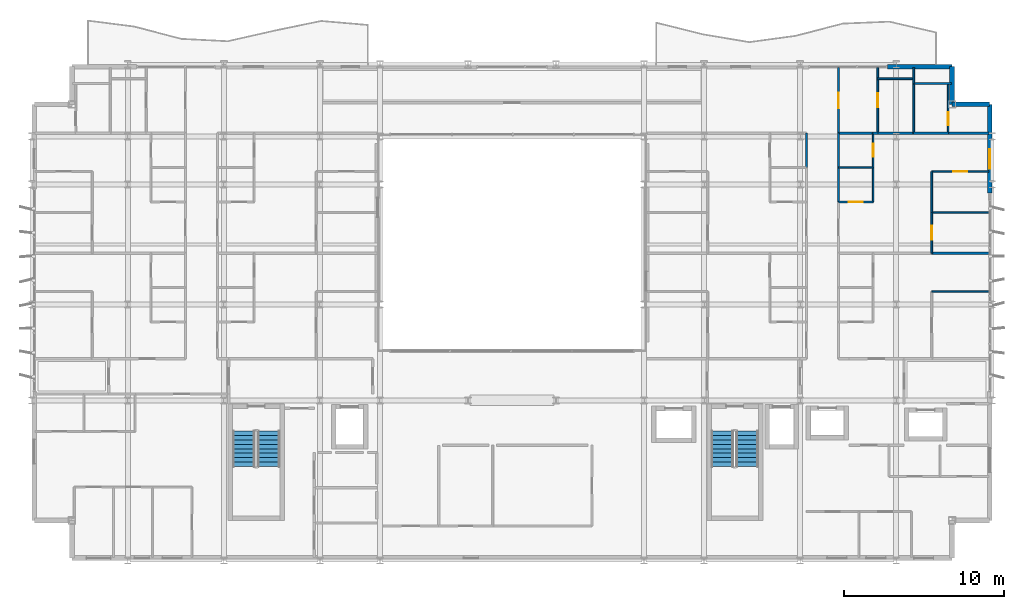
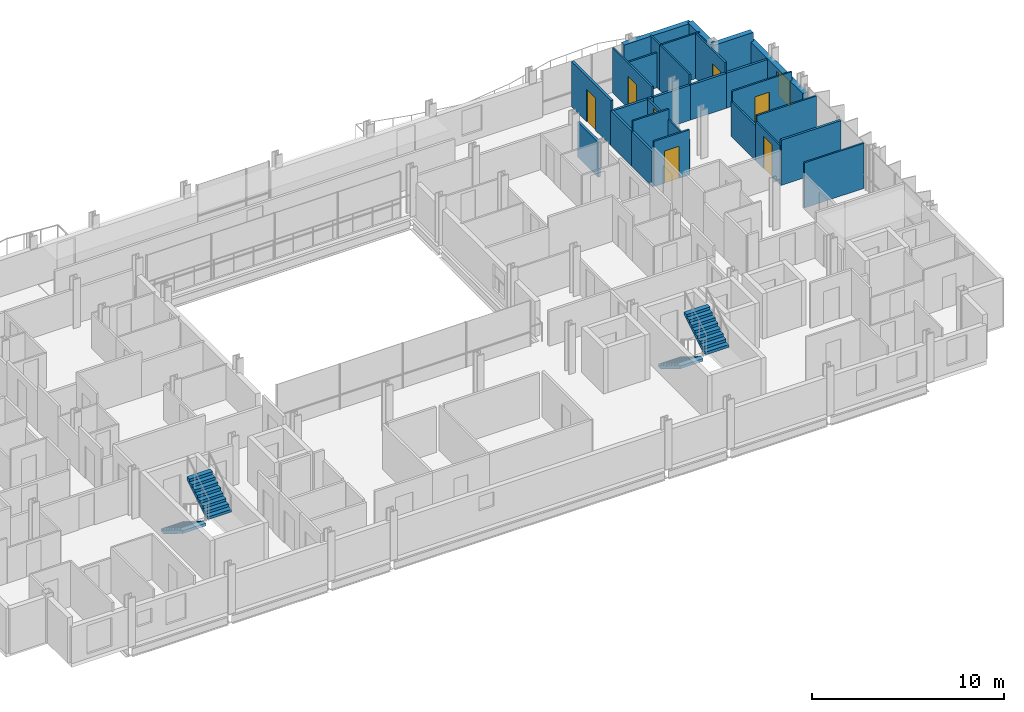
# One storey, part 33 of 39: 29 walls, 7 doors, 4 stair flights, 1 window, 8 openings, 2 elements without a shape of their own.
"""IFC4 building model written with IfcOpenShell, lengths in metres."""

import ifcopenshell
import ifcopenshell.guid

model = None  # the IFC model being written
_history = None  # IfcOwnerHistory: only IFC2X3 demands one
_inside = {}  # id of a spatial element -> (the spatial element, [elements in it])
_under = {}  # id of a project, library or spatial element -> (it, [spatial elements below it])
_declared = {}  # id of a project -> (the project, [libraries it declares])
_typed = {}  # id of a type object -> (the type object, [elements of that type])
_made_of = {}  # id of a material, layer set ... -> (it, [elements and type objects made of it])


def new_model(schema):
    """Start an empty IFC model of exactly this schema.

    Asked for "IFC4X3", IfcOpenShell would pick the latest addendum, in which some entities
    have other attributes; the version numbers below select the first issue.
    IFC2X3 requires an IfcOwnerHistory on every rooted entity: one is made here for all.
    """
    global model, _history
    if schema == "IFC4X3":
        model = ifcopenshell.file(schema_version=(4, 3, 0, 0))
    else:
        model = ifcopenshell.file(schema=schema)
    _inside.clear()
    _under.clear()
    _declared.clear()
    _typed.clear()
    _made_of.clear()
    _history = None
    if model.schema == "IFC2X3":
        org = make("IfcOrganization", Name="unknown")
        user = make(
            "IfcPersonAndOrganization",
            ThePerson=make("IfcPerson", FamilyName="unknown"),
            TheOrganization=org,
        )
        app = make(
            "IfcApplication",
            ApplicationDeveloper=org,
            Version="unknown",
            ApplicationFullName="unknown",
            ApplicationIdentifier="unknown",
        )
        _history = make(
            "IfcOwnerHistory",
            OwningUser=user,
            OwningApplication=app,
            ChangeAction="ADDED",
            CreationDate=0,
        )
    return model


def make(cls, **values):
    """One entity of the class cls with the attributes given. An attribute that is None is left unset."""
    return model.create_entity(
        cls, **{name: value for name, value in values.items() if value is not None}
    )


def rooted(cls, **values):
    """An entity with a GlobalId (a new one), such as an element, a storey or a relation."""
    return make(cls, GlobalId=ifcopenshell.guid.new(), OwnerHistory=_history, **values)


def si_unit(unit_type, name, prefix=None):
    """IfcSIUnit, for example si_unit("LENGTHUNIT", "METRE", prefix="MILLI")."""
    return make("IfcSIUnit", UnitType=unit_type, Prefix=prefix, Name=name)


def assignment(units):
    """IfcUnitAssignment: the units of a project."""
    return None if units is None else make("IfcUnitAssignment", Units=units)


def point(xyz):
    """IfcCartesianPoint."""
    return None if xyz is None else make("IfcCartesianPoint", Coordinates=xyz)


def direction(xyz):
    """IfcDirection."""
    return None if xyz is None else make("IfcDirection", DirectionRatios=xyz)


def frame(location, z_axis=None, x_axis=None):
    """IfcAxis2Placement3D, a coordinate frame: its origin and axes. An axis left out is left unset."""
    return make(
        "IfcAxis2Placement3D",
        Location=point(location),
        Axis=direction(z_axis),
        RefDirection=direction(x_axis),
    )


def frame_2d(location, x_axis=None):
    """IfcAxis2Placement2D, a coordinate frame in the plane: its origin and x axis."""
    return make(
        "IfcAxis2Placement2D", Location=point(location), RefDirection=direction(x_axis)
    )


def origin():
    """The frame at (0, 0, 0) with its axes left unset."""
    return frame((0.0, 0.0, 0.0))


def place(relative_to, where):
    """IfcLocalPlacement: puts the frame where relative to a parent placement (None: the world)."""
    return make(
        "IfcLocalPlacement", PlacementRelTo=relative_to, RelativePlacement=where
    )


def context(
    kind, dimensions, precision=None, world=None, true_north=None, identifier=None
):
    """IfcGeometricRepresentationContext, for example the 3D "Model" context."""
    return make(
        "IfcGeometricRepresentationContext",
        ContextIdentifier=identifier,
        ContextType=kind,
        CoordinateSpaceDimension=dimensions,
        Precision=precision,
        WorldCoordinateSystem=world,
        TrueNorth=true_north,
    )


def subcontext(parent, identifier, kind, view, scale=None):
    """IfcGeometricRepresentationSubContext, for example "Body" below "Model"."""
    return make(
        "IfcGeometricRepresentationSubContext",
        ContextIdentifier=identifier,
        ContextType=kind,
        ParentContext=parent,
        TargetScale=scale,
        TargetView=view,
    )


def project(units=None, contexts=None):
    """IfcProject with its units and contexts."""
    return rooted(
        "IfcProject",
        Name="project",
        RepresentationContexts=contexts,
        UnitsInContext=assignment(units),
    )


def spatial(cls, under=None, at=None, **own):
    """A site, building, storey or space (cls), placed at a placement, below another one or the project."""
    s = rooted(cls, ObjectPlacement=at, **own)
    if under is not None:
        _under.setdefault(under.id(), (under, []))[1].append(s)
    return s


def polyline(points):
    """IfcPolyline through the points."""
    return make("IfcPolyline", Points=[point(p) for p in points])


def profile(cls, at=None, kind="AREA", **sizes):
    """A parametric profile (cls). Its sizes go by their IFC names, for example OverallWidth=200.0."""
    return make(cls, ProfileType=kind, Position=at, **sizes)


def rectangle(**sizes):
    """IfcRectangleProfileDef."""
    return profile("IfcRectangleProfileDef", **sizes)


def outline(outer, holes=None, kind="AREA"):
    """IfcArbitraryClosedProfileDef: a profile drawn as a closed curve; with holes, ...WithVoids."""
    if holes is None:
        return make("IfcArbitraryClosedProfileDef", ProfileType=kind, OuterCurve=outer)
    return make(
        "IfcArbitraryProfileDefWithVoids",
        ProfileType=kind,
        OuterCurve=outer,
        InnerCurves=holes,
    )


def extrude(swept, where, along, depth):
    """IfcExtrudedAreaSolid: the profile swept, set in the frame where, extruded along a direction by depth."""
    return make(
        "IfcExtrudedAreaSolid",
        SweptArea=swept,
        Position=where,
        ExtrudedDirection=direction(along),
        Depth=depth,
    )


def shape(context_of_items, identifier, shape_type, items):
    """IfcShapeRepresentation: the items that make up one representation, for example the "Body"."""
    return make(
        "IfcShapeRepresentation",
        ContextOfItems=context_of_items,
        RepresentationIdentifier=identifier,
        RepresentationType=shape_type,
        Items=items,
    )


def material(Name=None, Category=None):
    """IfcMaterial."""
    return make("IfcMaterial", Name=Name, Category=Category)


def layer(
    of_material, thickness, ventilated=None, Name=None, Category=None, Priority=None
):
    """IfcMaterialLayer: one layer of a wall or slab, of a material (None: an air gap)."""
    return make(
        "IfcMaterialLayer",
        Material=of_material,
        LayerThickness=thickness,
        IsVentilated=ventilated,
        Name=Name,
        Category=Category,
        Priority=Priority,
    )


def layer_set(layers, Name=None):
    """IfcMaterialLayerSet."""
    return make("IfcMaterialLayerSet", MaterialLayers=layers, LayerSetName=Name)


def made_of(thing, what):
    """Note that an element or type object is made of a material, layer set ...; save() writes the relation."""
    if what is not None:
        _made_of.setdefault(what.id(), (what, []))[1].append(thing)
    return thing


def type_object(cls, material=None, **own):
    """A type object (cls), such as IfcWallType, which elements share."""
    return made_of(rooted(cls, **own), material)


def element(
    cls,
    number,
    at=None,
    inside=None,
    cuts=None,
    type_object=None,
    material=None,
    context=None,
    identifier="Body",
    shape_type=None,
    held_by="IfcProductDefinitionShape",
    body=None,
    shapes=None,
    **own,
):
    """One element of the class cls, such as IfcWall. Its Tag is "e" and its number.

    at: its placement. inside: the storey or other place that contains it. cuts: it is an
    opening in that element (IfcRelVoidsElement). A single representation is given by context,
    identifier, shape_type and body (its items); several are given by shapes. held_by: the class
    of the entity that holds the representations. save() writes the other relations.
    """
    e = rooted(cls, Tag="e%d" % number, ObjectPlacement=at, **own)
    if body is not None:
        shapes = [shape(context, identifier, shape_type, body)]
    if shapes is not None:
        e.Representation = make(held_by, Representations=shapes)
    if inside is not None:
        _inside.setdefault(inside.id(), (inside, []))[1].append(e)
    if cuts is not None:
        rooted(
            "IfcRelVoidsElement", RelatingBuildingElement=cuts, RelatedOpeningElement=e
        )
    if type_object is not None:
        _typed.setdefault(type_object.id(), (type_object, []))[1].append(e)
    return made_of(e, material)


def fill(opening, filler):
    """IfcRelFillsElement: the door or window that sits in an opening."""
    return rooted(
        "IfcRelFillsElement",
        RelatingOpeningElement=opening,
        RelatedBuildingElement=filler,
    )


def aggregate(whole, parts):
    """IfcRelAggregates: a whole, such as a stair, and the parts it consists of."""
    return rooted("IfcRelAggregates", RelatingObject=whole, RelatedObjects=parts)


def save(model, path):
    """Write the relations noted so far, then the file.

    IfcRelAggregates (storeys below a building ...), IfcRelContainedInSpatialStructure (elements
    in a storey), IfcRelDefinesByType, IfcRelAssociatesMaterial and IfcRelDeclares: one each for
    every whole, place, type object, material and project.
    """
    for whole, parts in _under.values():
        aggregate(whole, parts)
    for where, things in _inside.values():
        rooted(
            "IfcRelContainedInSpatialStructure",
            RelatedElements=things,
            RelatingStructure=where,
        )
    for kind, things in _typed.values():
        rooted("IfcRelDefinesByType", RelatedObjects=things, RelatingType=kind)
    for what, things in _made_of.values():
        rooted("IfcRelAssociatesMaterial", RelatedObjects=things, RelatingMaterial=what)
    for by, libraries in _declared.values():
        rooted("IfcRelDeclares", RelatingContext=by, RelatedDefinitions=libraries)
    model.write(path)


model = new_model("IFC4")

# Units and contexts
model_context = context("Model", 3, precision=1e-05, world=origin(), true_north=direction((0.0, 1.0)))
body_context = subcontext(model_context, "Body", "Model", "MODEL_VIEW")
ifc_project = project(units=[si_unit("LENGTHUNIT", "METRE"), si_unit("AREAUNIT", "SQUARE_METRE"), si_unit("VOLUMEUNIT", "CUBIC_METRE"), si_unit("PLANEANGLEUNIT", "RADIAN"), si_unit("MASSUNIT", "GRAM", prefix="KILO")], contexts=[model_context])

# Site, building, storey
site_placement = place(None, origin())
site = spatial("IfcSite", under=ifc_project, at=site_placement, CompositionType="ELEMENT")
building_placement = place(site_placement, origin())
building = spatial("IfcBuilding", under=site, at=building_placement, Name="Brevholm Reach", CompositionType="ELEMENT")
storey_placement = place(building_placement, frame((0.0, 0.0, 77.60009765625)))
storey = spatial("IfcBuildingStorey", under=building, at=storey_placement, Name="L22", CompositionType="ELEMENT", Elevation=77.60009765625)

# Walls
ifc_material_1 = material(Name="Concrete C40/50", Category="concrete")
ifc_layer_1 = layer(ifc_material_1, 0.300048828125)
ifc_layer_set_1 = layer_set([ifc_layer_1], Name="Concrete C40/50")
wall_type_1 = type_object("IfcWallType", Name="WAL-EXT-300", PredefinedType="STANDARD", material=ifc_layer_set_1)
for number, where, z_axis, x_axis, name in (
    (1, (59.85009765625, 28.5, 0.0), (0.0, 0.0, 1.0), (-1.0, 0.0, 0.0), "L22 Facade Wall WAL-L22-CNE1"),
    (2, (57.5, 28.5, 0.0), (0.0, 0.0, 1.0), (0.0, 1.0, 0.0), "L22 Facade Wall WAL-L22-CNE2"),
):
    element("IfcWall", number, at=place(storey_placement, frame(where, z_axis=z_axis, x_axis=x_axis)), inside=storey, type_object=wall_type_1, Name=name, PredefinedType="STANDARD", context=body_context, shape_type="SweptSolid", body=[
        extrude(rectangle(XDim=2.35009765625, YDim=0.300048828125, at=frame_2d((1.175048828125, 0.0))), origin(), (0.0, 0.0, 1.0), 2.869873046875),
    ])

# Wall, opening, window
wall_1_placement = place(storey_placement, frame((59.85009765625, 22.949951171875, 0.0), z_axis=(0.0, 0.0, 1.0), x_axis=(0.0, 1.0, 0.0)))
wall_1 = element("IfcWall", 3, at=wall_1_placement, inside=storey, type_object=wall_type_1, Name="L22 Facade Wall WAL-L22-E-N", PredefinedType="STANDARD", context=body_context, shape_type="SweptSolid", body=[
    extrude(rectangle(XDim=5.550048828125, YDim=0.300048828125, at=frame_2d((2.77490234375, 0.0))), origin(), (0.0, 0.0, 1.0), 2.305419921875),
])
opening_1_placement = place(wall_1_placement, frame((1.530029296875, 0.0, 0.486083984375)))
opening_1 = element("IfcOpeningElement", 4, at=opening_1_placement, cuts=wall_1, Name="Opening WN-08", PredefinedType="OPENING", context=body_context, shape_type="SweptSolid", body=[
    extrude(rectangle(XDim=1.199951171875, YDim=1.60009765625, at=frame_2d((0.60009765625, 0.800048828125))), frame((0.0, 0.159912109375, 0.0), z_axis=(0.0, -1.0, 0.0), x_axis=(1.0, 0.0, 0.0)), (0.0, 0.0, 1.0), 0.320068359375),
])
ifc_material_2 = material(Name="Dark Anodised Aluminium and Solar-Control IGU Glass", Category="aluminium")
window_type = type_object("IfcWindowType", Name="WIN-RES-1200", PartitioningType="SINGLE_PANEL", PredefinedType="WINDOW", material=ifc_material_2)
window_placement = place(opening_1_placement, origin())
window = element("IfcWindow", 5, at=window_placement, inside=storey, type_object=window_type, Name="L22 Window WIN-L22-EN-1", OverallHeight=1.60009765625, OverallWidth=1.199951171875, PartitioningType="SINGLE_PANEL", PredefinedType="WINDOW", context=body_context, shape_type="SweptSolid", body=[
    extrude(rectangle(XDim=1.199951171875, YDim=1.60009765625, at=frame_2d((0.60009765625, 0.800048828125))), frame((0.0, 0.030029296875, 0.0), z_axis=(0.0, -1.0, 0.0), x_axis=(1.0, 0.0, 0.0)), (0.0, 0.0, 1.0), 0.06005859375),
])
fill(opening_1, window)

# Walls
wall_2_placement = place(storey_placement, frame((53.449951171875, 30.85009765625, 0.0), z_axis=(0.0, 0.0, 1.0), x_axis=(1.0, 0.0, 0.0)))
element("IfcWall", 6, at=wall_2_placement, inside=storey, type_object=wall_type_1, Name="L22 Facade Wall WAL-L22-NP-E0", PredefinedType="STANDARD", context=body_context, shape_type="SweptSolid", body=[
    extrude(rectangle(XDim=4.050048828125, YDim=0.300048828125, at=frame_2d((2.02490234375, 0.0))), origin(), (0.0, 0.0, 1.0), 2.869873046875),
])
ifc_material_3 = material(Name="Moisture-Resistant Acoustic Gypsum Stud Partition 100 mm", Category="gypsum")
ifc_layer_2 = layer(ifc_material_3, 0.10009765625)
ifc_layer_set_2 = layer_set([ifc_layer_2], Name="Moisture-Resistant Acoustic Gypsum Stud Partition 100 mm")
wall_type_2 = type_object("IfcWallType", Name="WAL-PRT-100", PredefinedType="PARTITIONING", material=ifc_layer_set_2)
wall_3_placement = place(storey_placement, frame((56.22802734375, 16.800048828125, 0.0), z_axis=(0.0, 0.0, 1.0), x_axis=(1.0, 0.0, 0.0)))
element("IfcWall", 7, at=wall_3_placement, inside=storey, type_object=wall_type_2, Name="L22 Internal Partition 152", PredefinedType="PARTITIONING", context=body_context, shape_type="SweptSolid", body=[
    extrude(rectangle(XDim=3.572021484375, YDim=0.10009765625, at=frame_2d((1.7861328125, 0.0))), origin(), (0.0, 0.0, 1.0), 2.869873046875),
])
wall_4_placement = place(storey_placement, frame((50.404052734375, 24.550048828125, 0.0), z_axis=(0.0, 0.0, 1.0), x_axis=(1.0, 0.0, 0.0)))
element("IfcWall", 8, at=wall_4_placement, inside=storey, type_object=wall_type_2, Name="L22 Internal Partition 156", PredefinedType="PARTITIONING", context=body_context, shape_type="SweptSolid", body=[
    extrude(rectangle(XDim=2.157958984375, YDim=0.10009765625, at=frame_2d((1.0791015625, 0.0))), origin(), (0.0, 0.0, 1.0), 2.869873046875),
])

# Wall, opening, door
wall_5_placement = place(storey_placement, frame((52.56201171875, 24.550048828125, 0.0), z_axis=(0.0, 0.0, 1.0), x_axis=(0.0, 1.0, 0.0)))
wall_5 = element("IfcWall", 9, at=wall_5_placement, inside=storey, type_object=wall_type_2, Name="L22 Internal Partition 157", PredefinedType="PARTITIONING", context=body_context, shape_type="SweptSolid", body=[
    extrude(rectangle(XDim=2.14990234375, YDim=0.10009765625, at=frame_2d((1.074951171875, 0.0))), origin(), (0.0, 0.0, 1.0), 2.224609375),
])
opening_2_placement = place(wall_5_placement, frame((0.6650390625, 0.0, 0.0)))
opening_2 = element("IfcOpeningElement", 10, at=opening_2_placement, cuts=wall_5, Name="Opening ID-03", PredefinedType="OPENING", context=body_context, shape_type="SweptSolid", body=[
    extrude(rectangle(XDim=0.820068359375, YDim=2.02001953125, at=frame_2d((0.41015625, 1.010009765625))), frame((0.0, 0.06005859375, 0.0), z_axis=(0.0, -1.0, 0.0), x_axis=(1.0, 0.0, 0.0)), (0.0, 0.0, 1.0), 0.1201171875),
])
ifc_material_4 = material(Name="Moisture-Resistant Painted Timber Internal Bathroom Door", Category="wood")
door_type_1 = type_object("IfcDoorType", Name="DOR-BATH-820", OperationType="NOTDEFINED", PredefinedType="DOOR", material=ifc_material_4)
door_1_placement = place(opening_2_placement, origin())
door_1 = element("IfcDoor", 11, at=door_1_placement, inside=storey, type_object=door_type_1, Name="L22 Internal Door 060", OperationType="SINGLE_SWING_LEFT", OverallHeight=2.02001953125, OverallWidth=0.820068359375, PredefinedType="DOOR", context=body_context, shape_type="SweptSolid", body=[
    extrude(rectangle(XDim=0.820068359375, YDim=2.02001953125, at=frame_2d((0.41015625, 1.010009765625))), frame((0.0, 0.02490234375, 0.0), z_axis=(0.0, -1.0, 0.0), x_axis=(1.0, 0.0, 0.0)), (0.0, 0.0, 1.0), 0.050048828125),
])
fill(opening_2, door_1)

wall_6_placement = place(storey_placement, frame((50.404052734375, 22.39990234375, 0.0), z_axis=(0.0, 0.0, 1.0), x_axis=(1.0, 0.0, 0.0)))
wall_6 = element("IfcWall", 12, at=wall_6_placement, inside=storey, type_object=wall_type_2, Name="L22 Internal Partition 159", PredefinedType="PARTITIONING", context=body_context, shape_type="SweptSolid", body=[
    extrude(rectangle(XDim=2.157958984375, YDim=0.10009765625, at=frame_2d((1.0791015625, 0.0))), origin(), (0.0, 0.0, 1.0), 2.869873046875),
])
opening_3_placement = place(wall_6_placement, frame((0.638916015625, 0.0, 0.0)))
opening_3 = element("IfcOpeningElement", 13, at=opening_3_placement, cuts=wall_6, Name="Opening ID-01", PredefinedType="OPENING", context=body_context, shape_type="SweptSolid", body=[
    extrude(rectangle(XDim=0.8798828125, YDim=2.0400390625, at=frame_2d((0.43994140625, 1.02001953125))), frame((0.0, 0.06005859375, 0.0), z_axis=(0.0, -1.0, 0.0), x_axis=(1.0, 0.0, 0.0)), (0.0, 0.0, 1.0), 0.1201171875),
])
ifc_material_5 = material(Name="Lacquered Ash Solid-Core Acoustic Internal Door", Category="timber")
door_type_2 = type_object("IfcDoorType", Name="DOR-INT-880", OperationType="NOTDEFINED", PredefinedType="DOOR", material=ifc_material_5)
door_2_placement = place(opening_3_placement, origin())
door_2 = element("IfcDoor", 14, at=door_2_placement, inside=storey, type_object=door_type_2, Name="L22 Internal Door 061", OperationType="SINGLE_SWING_RIGHT", OverallHeight=2.0400390625, OverallWidth=0.8798828125, PredefinedType="DOOR", context=body_context, shape_type="SweptSolid", body=[
    extrude(rectangle(XDim=0.8798828125, YDim=2.0400390625, at=frame_2d((0.43994140625, 1.02001953125))), frame((0.0, 0.02490234375, 0.0), z_axis=(0.0, -1.0, 0.0), x_axis=(1.0, 0.0, 0.0)), (0.0, 0.0, 1.0), 0.050048828125),
])
fill(opening_3, door_2)

# Walls
wall_7_placement = place(storey_placement, frame((52.56201171875, 22.39990234375, 0.0), z_axis=(0.0, 0.0, 1.0), x_axis=(0.0, 1.0, 0.0)))
element("IfcWall", 15, at=wall_7_placement, inside=storey, type_object=wall_type_2, Name="L22 Internal Partition 160", PredefinedType="PARTITIONING", context=body_context, shape_type="SweptSolid", body=[
    extrude(rectangle(XDim=2.14599609375, YDim=0.10009765625, at=frame_2d((1.072998046875, 0.0))), origin(), (0.0, 0.0, 1.0), 2.224609375),
])
wall_8_placement = place(storey_placement, frame((56.22802734375, 21.75, 0.0), z_axis=(0.0, 0.0, 1.0), x_axis=(1.0, 0.0, 0.0)))
element("IfcWall", 16, at=wall_8_placement, inside=storey, type_object=wall_type_2, Name="L22 Internal Partition 161", PredefinedType="PARTITIONING", context=body_context, shape_type="SweptSolid", body=[
    extrude(rectangle(XDim=3.572021484375, YDim=0.10009765625, at=frame_2d((1.7861328125, 0.0))), origin(), (0.0, 0.0, 1.0), 2.869873046875),
])

# Wall, opening, door
wall_9_placement = place(storey_placement, frame((56.22802734375, 19.2041015625, 0.0), z_axis=(0.0, 0.0, 1.0), x_axis=(0.0, 1.0, 0.0)))
wall_9 = element("IfcWall", 17, at=wall_9_placement, inside=storey, type_object=wall_type_2, Name="L22 Internal Partition 162", PredefinedType="PARTITIONING", context=body_context, shape_type="SweptSolid", body=[
    extrude(rectangle(XDim=2.5458984375, YDim=0.10009765625, at=frame_2d((1.27294921875, 0.0))), origin(), (0.0, 0.0, 1.0), 2.489990234375),
])
opening_4_placement = place(wall_9_placement, frame((0.8330078125, 0.0, 0.0)))
opening_4 = element("IfcOpeningElement", 18, at=opening_4_placement, cuts=wall_9, Name="Opening ID-01", PredefinedType="OPENING", context=body_context, shape_type="SweptSolid", body=[
    extrude(rectangle(XDim=0.8798828125, YDim=2.0400390625, at=frame_2d((0.43994140625, 1.02001953125))), frame((0.0, 0.06005859375, 0.0), z_axis=(0.0, -1.0, 0.0), x_axis=(1.0, 0.0, 0.0)), (0.0, 0.0, 1.0), 0.1201171875),
])
door_3_placement = place(opening_4_placement, origin())
door_3 = element("IfcDoor", 19, at=door_3_placement, inside=storey, type_object=door_type_2, Name="L22 Internal Door 062", OperationType="SINGLE_SWING_LEFT", OverallHeight=2.0400390625, OverallWidth=0.8798828125, PredefinedType="DOOR", context=body_context, shape_type="SweptSolid", body=[
    extrude(rectangle(XDim=0.8798828125, YDim=2.0400390625, at=frame_2d((0.43994140625, 1.02001953125))), frame((0.0, 0.02490234375, 0.0), z_axis=(0.0, -1.0, 0.0), x_axis=(1.0, 0.0, 0.0)), (0.0, 0.0, 1.0), 0.050048828125),
])
fill(opening_4, door_3)

wall_10_placement = place(storey_placement, frame((56.22802734375, 24.300048828125, 0.0), z_axis=(0.0, 0.0, 1.0), x_axis=(1.0, 0.0, 0.0)))
wall_10 = element("IfcWall", 20, at=wall_10_placement, inside=storey, type_object=wall_type_2, Name="L22 Internal Partition 163", PredefinedType="PARTITIONING", context=body_context, shape_type="SweptSolid", body=[
    extrude(rectangle(XDim=3.572021484375, YDim=0.10009765625, at=frame_2d((1.7861328125, 0.0))), origin(), (0.0, 0.0, 1.0), 2.869873046875),
])
opening_5_placement = place(wall_10_placement, frame((1.345947265625, 0.0, 0.0)))
opening_5 = element("IfcOpeningElement", 21, at=opening_5_placement, cuts=wall_10, Name="Opening ID-01", PredefinedType="OPENING", context=body_context, shape_type="SweptSolid", body=[
    extrude(rectangle(XDim=0.8798828125, YDim=2.0400390625, at=frame_2d((0.43994140625, 1.02001953125))), frame((0.0, 0.06005859375, 0.0), z_axis=(0.0, -1.0, 0.0), x_axis=(1.0, 0.0, 0.0)), (0.0, 0.0, 1.0), 0.1201171875),
])
door_4_placement = place(opening_5_placement, origin())
door_4 = element("IfcDoor", 22, at=door_4_placement, inside=storey, type_object=door_type_2, Name="L22 Internal Door 063", OperationType="SINGLE_SWING_RIGHT", OverallHeight=2.0400390625, OverallWidth=0.8798828125, PredefinedType="DOOR", context=body_context, shape_type="SweptSolid", body=[
    extrude(rectangle(XDim=0.8798828125, YDim=2.0400390625, at=frame_2d((0.43994140625, 1.02001953125))), frame((0.0, 0.02490234375, 0.0), z_axis=(0.0, -1.0, 0.0), x_axis=(1.0, 0.0, 0.0)), (0.0, 0.0, 1.0), 0.050048828125),
])
fill(opening_5, door_4)

# Walls
wall_11_placement = place(storey_placement, frame((56.22802734375, 21.75390625, 0.0), z_axis=(0.0, 0.0, 1.0), x_axis=(0.0, 1.0, 0.0)))
element("IfcWall", 23, at=wall_11_placement, inside=storey, type_object=wall_type_2, Name="L22 Internal Partition 164", PredefinedType="PARTITIONING", context=body_context, shape_type="SweptSolid", body=[
    extrude(rectangle(XDim=2.546142578125, YDim=0.10009765625, at=frame_2d((1.27294921875, 0.0))), origin(), (0.0, 0.0, 1.0), 2.224609375),
])
wall_12_placement = place(storey_placement, frame((55.10009765625, 26.7041015625, 0.0), z_axis=(0.0, 0.0, 1.0), x_axis=(0.0, 1.0, 0.0)))
element("IfcWall", 24, at=wall_12_placement, inside=storey, type_object=wall_type_2, Name="L22 Internal Partition 175", PredefinedType="PARTITIONING", context=body_context, shape_type="SweptSolid", body=[
    extrude(rectangle(XDim=3.095947265625, YDim=0.10009765625, at=frame_2d((1.5478515625, 0.0))), origin(), (0.0, 0.0, 1.0), 2.869873046875),
])

# Wall, opening, door
wall_13_placement = place(storey_placement, frame((57.25, 26.7041015625, 0.0), z_axis=(0.0, 0.0, 1.0), x_axis=(0.0, 1.0, 0.0)))
wall_13 = element("IfcWall", 25, at=wall_13_placement, inside=storey, type_object=wall_type_2, Name="L22 Internal Partition 176", PredefinedType="PARTITIONING", context=body_context, shape_type="SweptSolid", body=[
    extrude(rectangle(XDim=3.095947265625, YDim=0.10009765625, at=frame_2d((1.5478515625, 0.0))), origin(), (0.0, 0.0, 1.0), 2.869873046875),
])
opening_6_placement = place(wall_13_placement, frame((0.47802734375, 0.0, 0.0)))
opening_6 = element("IfcOpeningElement", 26, at=opening_6_placement, cuts=wall_13, Name="Opening ID-03", PredefinedType="OPENING", context=body_context, shape_type="SweptSolid", body=[
    extrude(rectangle(XDim=0.820068359375, YDim=2.02001953125, at=frame_2d((0.41015625, 1.010009765625))), frame((0.0, 0.06005859375, 0.0), z_axis=(0.0, -1.0, 0.0), x_axis=(1.0, 0.0, 0.0)), (0.0, 0.0, 1.0), 0.1201171875),
])
door_5_placement = place(opening_6_placement, origin())
door_5 = element("IfcDoor", 27, at=door_5_placement, inside=storey, type_object=door_type_1, Name="L22 Internal Door 066", OperationType="SINGLE_SWING_LEFT", OverallHeight=2.02001953125, OverallWidth=0.820068359375, PredefinedType="DOOR", context=body_context, shape_type="SweptSolid", body=[
    extrude(rectangle(XDim=0.820068359375, YDim=2.02001953125, at=frame_2d((0.41015625, 1.010009765625))), frame((0.0, 0.02490234375, 0.0), z_axis=(0.0, -1.0, 0.0), x_axis=(1.0, 0.0, 0.0)), (0.0, 0.0, 1.0), 0.050048828125),
])
fill(opening_6, door_5)

# Walls
wall_14_placement = place(storey_placement, frame((55.10009765625, 29.800048828125, 0.0), z_axis=(0.0, 0.0, 1.0), x_axis=(1.0, 0.0, 0.0)))
element("IfcWall", 28, at=wall_14_placement, inside=storey, type_object=wall_type_2, Name="L22 Internal Partition 177", PredefinedType="PARTITIONING", context=body_context, shape_type="SweptSolid", body=[
    extrude(rectangle(XDim=2.349853515625, YDim=0.10009765625, at=frame_2d((1.1748046875, 0.0))), origin(), (0.0, 0.0, 1.0), 2.869873046875),
])
wall_15_placement = place(storey_placement, frame((55.10009765625, 29.803955078125, 0.0), z_axis=(0.0, 0.0, 1.0), x_axis=(0.0, 1.0, 0.0)))
element("IfcWall", 29, at=wall_15_placement, inside=storey, type_object=wall_type_2, Name="L22 Internal Partition 178", PredefinedType="PARTITIONING", context=body_context, shape_type="SweptSolid", body=[
    extrude(rectangle(XDim=0.99609375, YDim=0.10009765625, at=frame_2d((0.498046875, 0.0))), origin(), (0.0, 0.0, 1.0), 2.869873046875),
])
wall_16_placement = place(storey_placement, frame((52.85009765625, 30.10009765625, 0.0), z_axis=(0.0, 0.0, 1.0), x_axis=(1.0, 0.0, 0.0)))
element("IfcWall", 30, at=wall_16_placement, inside=storey, type_object=wall_type_2, Name="L22 Internal Partition 179", PredefinedType="PARTITIONING", context=body_context, shape_type="SweptSolid", body=[
    extrude(rectangle(XDim=2.25, YDim=0.10009765625, at=frame_2d((1.125, 0.0))), origin(), (0.0, 0.0, 1.0), 2.224609375),
])

# Wall, opening, door
wall_17_placement = place(storey_placement, frame((52.85009765625, 26.7041015625, 0.0), z_axis=(0.0, 0.0, 1.0), x_axis=(0.0, 1.0, 0.0)))
wall_17 = element("IfcWall", 31, at=wall_17_placement, inside=storey, type_object=wall_type_2, Name="L22 Internal Partition 180", PredefinedType="PARTITIONING", context=body_context, shape_type="SweptSolid", body=[
    extrude(rectangle(XDim=4.095947265625, YDim=0.10009765625, at=frame_2d((2.0478515625, 0.0))), origin(), (0.0, 0.0, 1.0), 2.869873046875),
])
opening_7_placement = place(wall_17_placement, frame((1.60791015625, 0.0, 0.0)))
opening_7 = element("IfcOpeningElement", 32, at=opening_7_placement, cuts=wall_17, Name="Opening ID-01", PredefinedType="OPENING", context=body_context, shape_type="SweptSolid", body=[
    extrude(rectangle(XDim=0.8798828125, YDim=2.0400390625, at=frame_2d((0.43994140625, 1.02001953125))), frame((0.0, 0.06005859375, 0.0), z_axis=(0.0, -1.0, 0.0), x_axis=(1.0, 0.0, 0.0)), (0.0, 0.0, 1.0), 0.1201171875),
])
door_6_placement = place(opening_7_placement, origin())
door_6 = element("IfcDoor", 33, at=door_6_placement, inside=storey, type_object=door_type_2, Name="L22 Internal Door 067", OperationType="SINGLE_SWING_RIGHT", OverallHeight=2.0400390625, OverallWidth=0.8798828125, PredefinedType="DOOR", context=body_context, shape_type="SweptSolid", body=[
    extrude(rectangle(XDim=0.8798828125, YDim=2.0400390625, at=frame_2d((0.43994140625, 1.02001953125))), frame((0.0, 0.02490234375, 0.0), z_axis=(0.0, -1.0, 0.0), x_axis=(1.0, 0.0, 0.0)), (0.0, 0.0, 1.0), 0.050048828125),
])
fill(opening_7, door_6)

# Walls
ifc_material_6 = material(Name="Twin-Stud Acoustic Fire-Rated Gypsum Partition 140 mm", Category="gypsum")
ifc_layer_3 = layer(ifc_material_6, 0.139892578125)
ifc_layer_set_3 = layer_set([ifc_layer_3], Name="Twin-Stud Acoustic Fire-Rated Gypsum Partition 140 mm")
wall_type_3 = type_object("IfcWallType", Name="WAL-PRT-140", PredefinedType="PARTITIONING", material=ifc_layer_set_3)
wall_18_placement = place(storey_placement, frame((48.39990234375, 24.538818359375, 0.0), z_axis=(0.0, 0.0, 1.0), x_axis=(0.0, 1.0, 0.0)))
element("IfcWall", 34, at=wall_18_placement, inside=storey, type_object=wall_type_3, Name="L22 Internal Partition 049", PredefinedType="PARTITIONING", context=body_context, shape_type="SweptSolid", body=[
    extrude(rectangle(XDim=2.16845703125, YDim=0.139892578125, at=frame_2d((1.084228515625, 0.0))), origin(), (0.0, 0.0, 1.0), 2.224609375),
])
wall_19_placement = place(storey_placement, frame((50.39990234375, 24.538818359375, 0.0), z_axis=(0.0, 0.0, 1.0), x_axis=(0.0, 1.0, 0.0)))
element("IfcWall", 35, at=wall_19_placement, inside=storey, type_object=wall_type_3, Name="L22 Internal Partition 055", PredefinedType="PARTITIONING", context=body_context, shape_type="SweptSolid", body=[
    extrude(rectangle(XDim=2.17236328125, YDim=0.139892578125, at=frame_2d((1.086181640625, 0.0))), origin(), (0.0, 0.0, 1.0), 2.224609375),
])
wall_20_placement = place(storey_placement, frame((50.39990234375, 22.388671875, 0.0), z_axis=(0.0, 0.0, 1.0), x_axis=(0.0, 1.0, 0.0)))
element("IfcWall", 36, at=wall_20_placement, inside=storey, type_object=wall_type_3, Name="L22 Internal Partition 056", PredefinedType="PARTITIONING", context=body_context, shape_type="SweptSolid", body=[
    extrude(rectangle(XDim=2.168701171875, YDim=0.139892578125, at=frame_2d((1.08447265625, 0.0))), origin(), (0.0, 0.0, 1.0), 2.224609375),
])

# Wall, opening, door
wall_21_placement = place(storey_placement, frame((50.39990234375, 26.692626953125, 0.0), z_axis=(0.0, 0.0, 1.0), x_axis=(0.0, 1.0, 0.0)))
wall_21 = element("IfcWall", 37, at=wall_21_placement, inside=storey, type_object=wall_type_3, Name="L22 Internal Partition 058", PredefinedType="PARTITIONING", context=body_context, shape_type="SweptSolid", body=[
    extrude(rectangle(XDim=4.107421875, YDim=0.139892578125, at=frame_2d((2.0537109375, 0.0))), origin(), (0.0, 0.0, 1.0), 2.869873046875),
])
opening_8_placement = place(wall_21_placement, frame((1.57861328125, 0.0, 0.0)))
opening_8 = element("IfcOpeningElement", 38, at=opening_8_placement, cuts=wall_21, Name="Opening ID-30", PredefinedType="OPENING", context=body_context, shape_type="SweptSolid", body=[
    extrude(rectangle(XDim=0.949951171875, YDim=2.050048828125, at=frame_2d((0.47509765625, 1.02490234375))), frame((0.0, 0.079833984375, 0.0), z_axis=(0.0, -1.0, 0.0), x_axis=(1.0, 0.0, 0.0)), (0.0, 0.0, 1.0), 0.159912109375),
])
ifc_material_7 = material(Name="European Oak Veneered Solid-Core Fire Entrance Door", Category="timber")
door_type_3 = type_object("IfcDoorType", Name="DOR-FLT-FD30S", OperationType="NOTDEFINED", PredefinedType="DOOR", material=ifc_material_7)
door_7_placement = place(opening_8_placement, origin())
door_7 = element("IfcDoor", 39, at=door_7_placement, inside=storey, type_object=door_type_3, Name="L22 Internal Door 025", OperationType="SINGLE_SWING_RIGHT", OverallHeight=2.050048828125, OverallWidth=0.949951171875, PredefinedType="DOOR", context=body_context, shape_type="SweptSolid", body=[
    extrude(rectangle(XDim=0.949951171875, YDim=2.050048828125, at=frame_2d((0.47509765625, 1.02490234375))), frame((0.0, 0.02490234375, 0.0), z_axis=(0.0, -1.0, 0.0), x_axis=(1.0, 0.0, 0.0)), (0.0, 0.0, 1.0), 0.050048828125),
])
fill(opening_8, door_7)

# Walls
wall_22_placement = place(storey_placement, frame((56.216796875, 19.199951171875, 0.0), z_axis=(0.0, 0.0, 1.0), x_axis=(1.0, 0.0, 0.0)))
element("IfcWall", 40, at=wall_22_placement, inside=storey, type_object=wall_type_3, Name="L22 Internal Partition 154", PredefinedType="PARTITIONING", context=body_context, shape_type="SweptSolid", body=[
    extrude(rectangle(XDim=3.583251953125, YDim=0.139892578125, at=frame_2d((1.79150390625, 0.0))), origin(), (0.0, 0.0, 1.0), 2.869873046875),
])
wall_23_placement = place(storey_placement, frame((50.404052734375, 26.699951171875, 0.0), z_axis=(0.0, 0.0, 1.0), x_axis=(1.0, 0.0, 0.0)))
element("IfcWall", 41, at=wall_23_placement, inside=storey, type_object=wall_type_3, Name="L22 Internal Partition 158", PredefinedType="PARTITIONING", context=body_context, shape_type="SweptSolid", body=[
    extrude(rectangle(XDim=2.157958984375, YDim=0.139892578125, at=frame_2d((1.0791015625, 0.0))), origin(), (0.0, 0.0, 1.0), 2.224609375),
])
wall_24_placement = place(storey_placement, frame((55.088623046875, 26.699951171875, 0.0), z_axis=(0.0, 0.0, 1.0), x_axis=(1.0, 0.0, 0.0)))
element("IfcWall", 42, at=wall_24_placement, inside=storey, type_object=wall_type_3, Name="L22 Internal Partition 165", PredefinedType="PARTITIONING", context=body_context, shape_type="SweptSolid", body=[
    extrude(rectangle(XDim=2.172607421875, YDim=0.139892578125, at=frame_2d((1.08642578125, 0.0))), origin(), (0.0, 0.0, 1.0), 2.224609375),
])
wall_25_placement = place(storey_placement, frame((52.838623046875, 26.699951171875, 0.0), z_axis=(0.0, 0.0, 1.0), x_axis=(1.0, 0.0, 0.0)))
element("IfcWall", 43, at=wall_25_placement, inside=storey, type_object=wall_type_3, Name="L22 Internal Partition 166", PredefinedType="PARTITIONING", context=body_context, shape_type="SweptSolid", body=[
    extrude(rectangle(XDim=2.268798828125, YDim=0.139892578125, at=frame_2d((1.13427734375, 0.0))), origin(), (0.0, 0.0, 1.0), 2.224609375),
])
wall_26_placement = place(storey_placement, frame((57.24267578125, 26.699951171875, 0.0), z_axis=(0.0, 0.0, 1.0), x_axis=(1.0, 0.0, 0.0)))
element("IfcWall", 44, at=wall_26_placement, inside=storey, type_object=wall_type_3, Name="L22 Internal Partition 167", PredefinedType="PARTITIONING", context=body_context, shape_type="SweptSolid", body=[
    extrude(rectangle(XDim=2.557373046875, YDim=0.139892578125, at=frame_2d((1.27880859375, 0.0))), origin(), (0.0, 0.0, 1.0), 2.224609375),
])
wall_27_placement = place(storey_placement, frame((52.56591796875, 26.699951171875, 0.0), z_axis=(0.0, 0.0, 1.0), x_axis=(1.0, 0.0, 0.0)))
element("IfcWall", 45, at=wall_27_placement, inside=storey, type_object=wall_type_3, Name="L22 Internal Partition 168", PredefinedType="PARTITIONING", context=body_context, shape_type="SweptSolid", body=[
    extrude(rectangle(XDim=0.29150390625, YDim=0.139892578125, at=frame_2d((0.145751953125, 0.0))), origin(), (0.0, 0.0, 1.0), 2.224609375),
])

# Stair, stair flights
ifc_material_8 = material(Name="Precast Concrete C40/50", Category="concrete")
stair_type = type_object("IfcStairType", Name="STR-ESC-1400", PredefinedType="DOUBLE_RETURN_STAIR", material=ifc_material_8)
stair_1_placement = place(storey_placement, origin())
stair_1 = element("IfcStair", 46, at=stair_1_placement, inside=storey, type_object=stair_type, Name="L22 ST-1", PredefinedType="DOUBLE_RETURN_STAIR")
ifc_material_9 = material(Name="Precast Concrete C40/50", Category="concrete")
ifc_layer_4 = layer(ifc_material_9, 0.18505859375)
ifc_layer_set_4 = layer_set([ifc_layer_4], Name="Precast Concrete C40/50")
stair_flight_type = type_object("IfcStairFlightType", Name="STF-PRC-185", PredefinedType="STRAIGHT", material=ifc_layer_set_4)
stair_flight_1_placement = place(storey_placement, frame((13.25, 8.10009765625, 0.0), z_axis=(0.0, 0.0, 1.0), x_axis=(0.0, -1.0, 0.0)))
stair_flight_1 = element("IfcStairFlight", 47, at=stair_flight_1_placement, type_object=stair_flight_type, Name="ST-1 flight 1", NumberOfRisers=9, NumberOfTreads=8, PredefinedType="STRAIGHT", RiserHeight=0.172222222, TreadLength=0.28, context=body_context, shape_type="SweptSolid", body=[
    extrude(outline(polyline([(0.0, 0.0), (0.0, 0.172119140625), (0.280029296875, 0.172119140625), (0.280029296875, 0.344482421875), (0.56005859375, 0.344482421875), (0.56005859375, 0.5166015625), (0.840087890625, 0.5166015625), (0.840087890625, 0.68896484375), (1.1201171875, 0.68896484375), (1.1201171875, 0.861083984375), (1.39990234375, 0.861083984375), (1.39990234375, 1.033447265625), (1.679931640625, 1.033447265625), (1.679931640625, 1.20556640625), (1.9599609375, 1.20556640625), (1.9599609375, 1.377685546875), (2.239990234375, 1.377685546875), (2.239990234375, 1.550048828125), (2.239990234375, 1.201904296875), (0.2861328125, 0.0), (0.0, 0.0)])), frame((0.0, 0.699951171875, 0.0), z_axis=(0.0, -1.0, 0.0), x_axis=(1.0, 0.0, 0.0)), (0.0, 0.0, 1.0), 1.39990234375),
])
stair_flight_2_placement = place(storey_placement, frame((14.800048828125, 5.860107421875, 1.5498046875), z_axis=(0.0, 0.0, 1.0), x_axis=(0.0, 1.0, 0.0)))
stair_flight_2 = element("IfcStairFlight", 48, at=stair_flight_2_placement, type_object=stair_flight_type, Name="ST-1 flight 2", NumberOfRisers=9, NumberOfTreads=8, PredefinedType="STRAIGHT", RiserHeight=0.172222222, TreadLength=0.28, context=body_context, shape_type="SweptSolid", body=[
    extrude(outline(polyline([(0.0, 0.0), (0.0, 0.172119140625), (0.280029296875, 0.172119140625), (0.280029296875, 0.344482421875), (0.56005859375, 0.344482421875), (0.56005859375, 0.5166015625), (0.840087890625, 0.5166015625), (0.840087890625, 0.68896484375), (1.1201171875, 0.68896484375), (1.1201171875, 0.861083984375), (1.39990234375, 0.861083984375), (1.39990234375, 1.033447265625), (1.679931640625, 1.033447265625), (1.679931640625, 1.20556640625), (1.9599609375, 1.20556640625), (1.9599609375, 1.377685546875), (2.239990234375, 1.377685546875), (2.239990234375, 1.550048828125), (2.239990234375, 1.201904296875), (0.2861328125, 0.0), (0.0, 0.0)])), frame((0.0, 0.699951171875, 0.0), z_axis=(0.0, -1.0, 0.0), x_axis=(1.0, 0.0, 0.0)), (0.0, 0.0, 1.0), 1.39990234375),
])
aggregate(stair_1, [stair_flight_1, stair_flight_2])

stair_2_placement = place(storey_placement, origin())
stair_2 = element("IfcStair", 49, at=stair_2_placement, inside=storey, type_object=stair_type, Name="L22 ST-2", PredefinedType="DOUBLE_RETURN_STAIR")
stair_flight_3_placement = place(storey_placement, frame((43.14990234375, 8.10009765625, 0.0), z_axis=(0.0, 0.0, 1.0), x_axis=(0.0, -1.0, 0.0)))
stair_flight_3 = element("IfcStairFlight", 50, at=stair_flight_3_placement, type_object=stair_flight_type, Name="ST-2 flight 1", NumberOfRisers=9, NumberOfTreads=8, PredefinedType="STRAIGHT", RiserHeight=0.172222222, TreadLength=0.28, context=body_context, shape_type="SweptSolid", body=[
    extrude(outline(polyline([(0.0, 0.0), (0.0, 0.172119140625), (0.280029296875, 0.172119140625), (0.280029296875, 0.344482421875), (0.56005859375, 0.344482421875), (0.56005859375, 0.5166015625), (0.840087890625, 0.5166015625), (0.840087890625, 0.68896484375), (1.1201171875, 0.68896484375), (1.1201171875, 0.861083984375), (1.39990234375, 0.861083984375), (1.39990234375, 1.033447265625), (1.679931640625, 1.033447265625), (1.679931640625, 1.20556640625), (1.9599609375, 1.20556640625), (1.9599609375, 1.377685546875), (2.239990234375, 1.377685546875), (2.239990234375, 1.550048828125), (2.239990234375, 1.201904296875), (0.2861328125, 0.0), (0.0, 0.0)])), frame((0.0, 0.699951171875, 0.0), z_axis=(0.0, -1.0, 0.0), x_axis=(1.0, 0.0, 0.0)), (0.0, 0.0, 1.0), 1.39990234375),
])
stair_flight_4_placement = place(storey_placement, frame((44.699951171875, 5.860107421875, 1.5498046875), z_axis=(0.0, 0.0, 1.0), x_axis=(0.0, 1.0, 0.0)))
stair_flight_4 = element("IfcStairFlight", 51, at=stair_flight_4_placement, type_object=stair_flight_type, Name="ST-2 flight 2", NumberOfRisers=9, NumberOfTreads=8, PredefinedType="STRAIGHT", RiserHeight=0.172222222, TreadLength=0.28, context=body_context, shape_type="SweptSolid", body=[
    extrude(outline(polyline([(0.0, 0.0), (0.0, 0.172119140625), (0.280029296875, 0.172119140625), (0.280029296875, 0.344482421875), (0.56005859375, 0.344482421875), (0.56005859375, 0.5166015625), (0.840087890625, 0.5166015625), (0.840087890625, 0.68896484375), (1.1201171875, 0.68896484375), (1.1201171875, 0.861083984375), (1.39990234375, 0.861083984375), (1.39990234375, 1.033447265625), (1.679931640625, 1.033447265625), (1.679931640625, 1.20556640625), (1.9599609375, 1.20556640625), (1.9599609375, 1.377685546875), (2.239990234375, 1.377685546875), (2.239990234375, 1.550048828125), (2.239990234375, 1.201904296875), (0.2861328125, 0.0), (0.0, 0.0)])), frame((0.0, 0.699951171875, 0.0), z_axis=(0.0, -1.0, 0.0), x_axis=(1.0, 0.0, 0.0)), (0.0, 0.0, 1.0), 1.39990234375),
])
aggregate(stair_2, [stair_flight_3, stair_flight_4])

save(model, "model.ifc")
